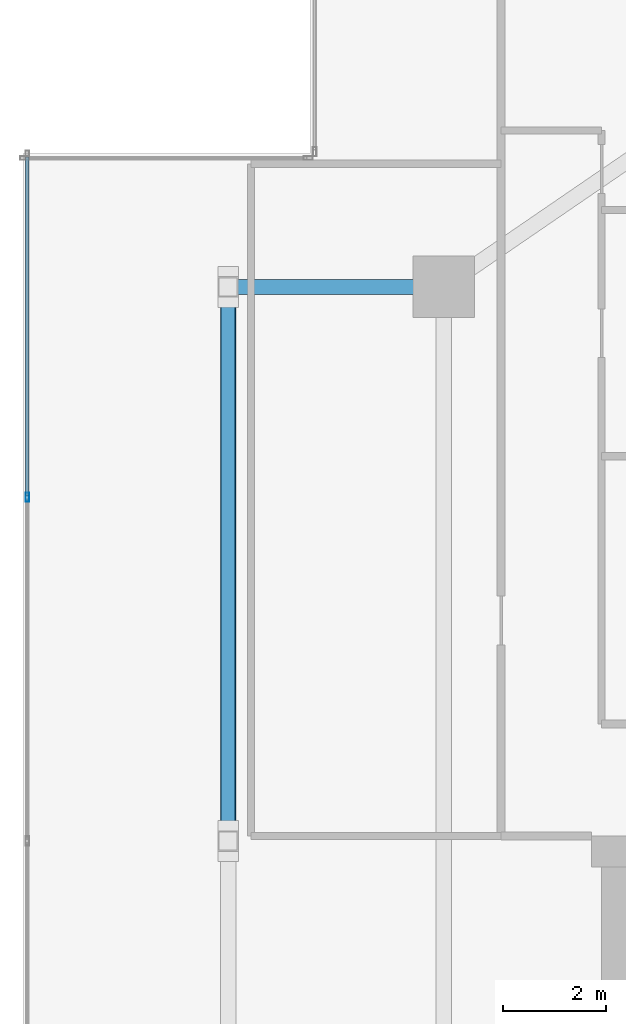
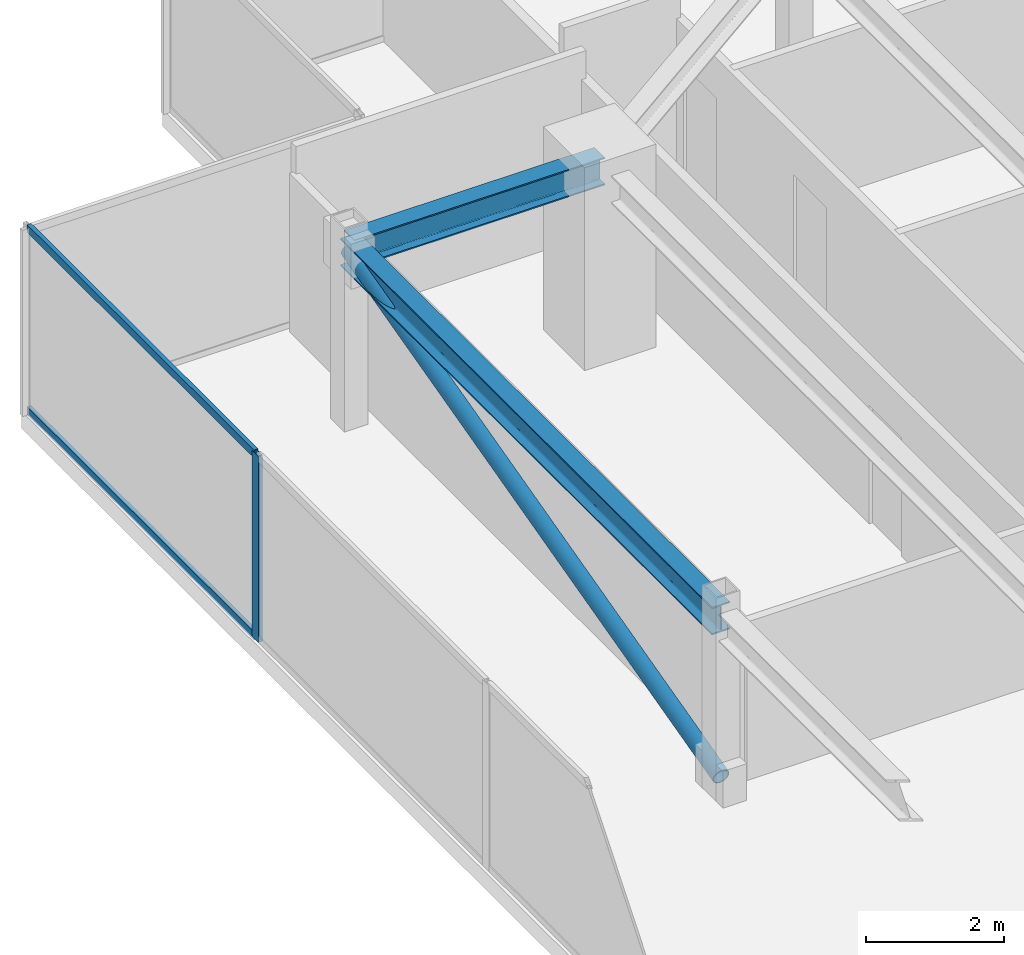
# One storey, part 9 of 16: 4 members, 2 beams, 1 element without a shape of its own.
"""IFC4 building model written with IfcOpenShell, lengths in metres."""

from ifc_helpers import new_model, si_unit, direction, frame, origin, origin_2d, place, context, subcontext, project, spatial, hollow_rectangle, hollow_circle, i_section, extrude, source, transform, mapped, material, material_profile, profile_set, type_object, type_shapes, element, aggregate, save


model = new_model("IFC4")

# Units and contexts
model_context = context("Model", 3, precision=1e-05, world=origin(), true_north=direction((0.0, 1.0)))
body_context = subcontext(model_context, "Body", "Model", "MODEL_VIEW")
ifc_project = project(units=[si_unit("LENGTHUNIT", "METRE"), si_unit("AREAUNIT", "SQUARE_METRE"), si_unit("VOLUMEUNIT", "CUBIC_METRE"), si_unit("PLANEANGLEUNIT", "RADIAN"), si_unit("MASSUNIT", "GRAM", prefix="KILO")], contexts=[model_context])

# Site, building, storey
site_placement = place(None, origin())
site = spatial("IfcSite", under=ifc_project, at=site_placement, CompositionType="ELEMENT")
building_placement = place(site_placement, origin())
building = spatial("IfcBuilding", under=site, at=building_placement, Name="Krantzveldt Concourse Tower", CompositionType="ELEMENT")
storey_placement = place(building_placement, frame((0.0, 0.0, 378.25)))
storey = spatial("IfcBuildingStorey", under=building, at=storey_placement, Name="L93", CompositionType="ELEMENT", Elevation=378.25)

# Beams
ifc_material_1 = material(Name="Steel S355JR", Category="steel")
ifc_material_profile_1 = material_profile(ifc_material_1, i_section(OverallWidth=0.300048828125, OverallDepth=0.489990234375, WebThickness=0.011962890625, FlangeThickness=0.02294921875, FilletRadius=0.027099609375, at=origin_2d()), Name="Steel S355JR", Category="steel")
ifc_profile_set_1 = profile_set([ifc_material_profile_1], Name="Steel S355JR - HEA 500")
beam_type = type_object("IfcBeamType", Name="BM-B-HEA500", PredefinedType="BEAM", material=ifc_profile_set_1)
shared_shape_1 = source(origin(), body_context, "Body", "SweptSolid", [
    extrude(i_section(OverallWidth=0.300048828125, OverallDepth=0.489990234375, WebThickness=0.011962890625, FlangeThickness=0.02294921875, FilletRadius=0.027099609375, at=origin_2d()), origin(), (0.0, 0.0, 1.0), 4.199951171875),
])
beam_1_placement = place(storey_placement, frame((21.0, 37.5, 3.054931640625), z_axis=(1.0, 0.0, 0.0), x_axis=(0.0, 1.0, 0.0)))
element("IfcBeam", 1, at=beam_1_placement, inside=storey, type_object=beam_type, Name="L93 Crown Girder WEST-3", PredefinedType="BEAM", context=body_context, shape_type="MappedRepresentation", body=[
    mapped(shared_shape_1, transform((0.0, 0.0, 0.0), x_axis=(1.0, 0.0, 0.0), y_axis=(0.0, 1.0, 0.0), z_axis=(0.0, 0.0, 1.0), scale=1.0)),
])
shared_shape_2 = source(origin(), body_context, "Body", "SweptSolid", [
    extrude(i_section(OverallWidth=0.300048828125, OverallDepth=0.489990234375, WebThickness=0.011962890625, FlangeThickness=0.02294921875, FilletRadius=0.027099609375, at=origin_2d()), origin(), (0.0, 0.0, 1.0), 10.800048828125),
])
type_shapes(beam_type, [shared_shape_1, shared_shape_2])
beam_2_placement = place(storey_placement, frame((21.0, 26.699951171875, 3.054931640625), z_axis=(0.0, 1.0, 0.0), x_axis=(-1.0, 0.0, 0.0)))
element("IfcBeam", 2, at=beam_2_placement, inside=storey, type_object=beam_type, Name="L93 Crown Girder WEST-2", PredefinedType="BEAM", context=body_context, shape_type="MappedRepresentation", body=[
    mapped(shared_shape_2, transform((0.0, 0.0, 0.0), x_axis=(1.0, 0.0, 0.0), y_axis=(0.0, 1.0, 0.0), z_axis=(0.0, 0.0, 1.0), scale=1.0)),
])

# Member
ifc_material_2 = material(Name="Steel S355J2", Category="steel")
ifc_material_profile_2 = material_profile(ifc_material_2, hollow_circle(Radius=0.136474609375, WallThickness=0.01611328125, at=origin_2d()), Name="Steel S355J2", Category="steel")
ifc_profile_set_2 = profile_set([ifc_material_profile_2], Name="Steel S355J2 - CHS 273x16")
member_type_1 = type_object("IfcMemberType", Name="MB-CB-CHS273", PredefinedType="BRACE", material=ifc_profile_set_2)
shared_shape_3 = source(origin(), body_context, "Body", "SweptSolid", [
    extrude(hollow_circle(Radius=0.136474609375, WallThickness=0.01611328125, at=origin_2d()), origin(), (0.0, 0.0, 1.0), 11.1572265625),
])
type_shapes(member_type_1, [shared_shape_3])
member_1_placement = place(storey_placement, frame((21.0, 26.699951171875, 0.25), z_axis=(0.0, 0.967996110632, 0.250965196393), x_axis=(-1.0, 0.0, 0.0)))
element("IfcMember", 3, at=member_1_placement, inside=storey, type_object=member_type_1, Name="Brace Diagonal CBR-L93-WEST", PredefinedType="BRACE", context=body_context, shape_type="MappedRepresentation", body=[
    mapped(shared_shape_3, transform((0.0, 0.0, 0.0), x_axis=(1.0, 0.0, 0.0), y_axis=(0.0, 1.0, 0.0), z_axis=(0.0, 0.0, 1.0), scale=1.0)),
])

# Curtain wall, members
ifc_material_3 = material(Name="Anodised aluminium 6063-T6", Category="aluminium")
curtain_wall_type = type_object("IfcCurtainWallType", Name="CW7", PredefinedType="USERDEFINED", material=ifc_material_3)
curtain_wall_placement = place(storey_placement, origin())
curtain_wall = element("IfcCurtainWall", 4, at=curtain_wall_placement, inside=storey, type_object=curtain_wall_type, Name="CW-L93-WEST-05", ObjectType="UNITISED CURTAIN WALL", PredefinedType="USERDEFINED")
ifc_material_profile_3 = material_profile(ifc_material_3, hollow_rectangle(XDim=0.070068359375, YDim=0.139892578125, WallThickness=0.0048828125, at=origin_2d()), Name="Anodised aluminium 6063-T6", Category="aluminium")
ifc_profile_set_3 = profile_set([ifc_material_profile_3], Name="Anodised aluminium 6063-T6 - ALU-TRAN 140x70x5")
member_type_2 = type_object("IfcMemberType", Name="CW-TRN-150", PredefinedType="USERDEFINED", material=ifc_profile_set_3)
shared_shape_4 = source(origin(), body_context, "Body", "SweptSolid", [
    extrude(hollow_rectangle(XDim=0.070068359375, YDim=0.139892578125, WallThickness=0.0048828125, at=origin_2d()), origin(), (0.0, 0.0, 1.0), 6.594970703125),
])
type_shapes(member_type_2, [shared_shape_4])
member_2_placement = place(storey_placement, frame((17.090087890625, 40.030029296875, 0.034912109375), z_axis=(0.0, -1.0, 0.0), x_axis=(1.0, 0.0, 0.0)))
member_2 = element("IfcMember", 5, at=member_2_placement, type_object=member_type_2, Name="CW-CRN transom 1.1", ObjectType="TRANSOM", PredefinedType="USERDEFINED", context=body_context, shape_type="MappedRepresentation", body=[
    mapped(shared_shape_4, transform((0.0, 0.0, 0.0), x_axis=(1.0, 0.0, 0.0), y_axis=(0.0, 1.0, 0.0), z_axis=(0.0, 0.0, 1.0), scale=1.0)),
])
member_3_placement = place(storey_placement, frame((17.090087890625, 40.030029296875, 3.264892578125), z_axis=(0.0, -1.0, 0.0), x_axis=(1.0, 0.0, 0.0)))
member_3 = element("IfcMember", 6, at=member_3_placement, type_object=member_type_2, Name="CW-CRN transom 1.2", ObjectType="TRANSOM", PredefinedType="USERDEFINED", context=body_context, shape_type="MappedRepresentation", body=[
    mapped(shared_shape_4, transform((0.0, 0.0, 0.0), x_axis=(1.0, 0.0, 0.0), y_axis=(0.0, 1.0, 0.0), z_axis=(0.0, 0.0, 1.0), scale=1.0)),
])
ifc_material_profile_4 = material_profile(ifc_material_3, hollow_rectangle(XDim=0.070068359375, YDim=0.179931640625, WallThickness=0.0048828125, at=origin_2d()), Name="Anodised aluminium 6063-T6", Category="aluminium")
ifc_profile_set_4 = profile_set([ifc_material_profile_4], Name="Anodised aluminium 6063-T6 - ALU-MULL 180x70x5")
member_type_3 = type_object("IfcMemberType", Name="CW-MUL-180", PredefinedType="MULLION", material=ifc_profile_set_4)
shared_shape_5 = source(origin(), body_context, "Body", "SweptSolid", [
    extrude(hollow_rectangle(XDim=0.070068359375, YDim=0.179931640625, WallThickness=0.0048828125, at=origin_2d()), origin(), (0.0, 0.0, 1.0), 3.300048828125),
])
type_shapes(member_type_3, [shared_shape_5])
member_4_placement = place(storey_placement, frame((17.090087890625, 33.39990234375, 0.0), z_axis=(0.0, 0.0, 1.0), x_axis=(1.0, 0.0, 0.0)))
member_4 = element("IfcMember", 7, at=member_4_placement, type_object=member_type_3, Name="CW-CRN mullion 2", PredefinedType="MULLION", context=body_context, shape_type="MappedRepresentation", body=[
    mapped(shared_shape_5, transform((0.0, 0.0, 0.0), x_axis=(1.0, 0.0, 0.0), y_axis=(0.0, 1.0, 0.0), z_axis=(0.0, 0.0, 1.0), scale=1.0)),
])
aggregate(curtain_wall, [member_4, member_2, member_3])

save(model, "model.ifc")
